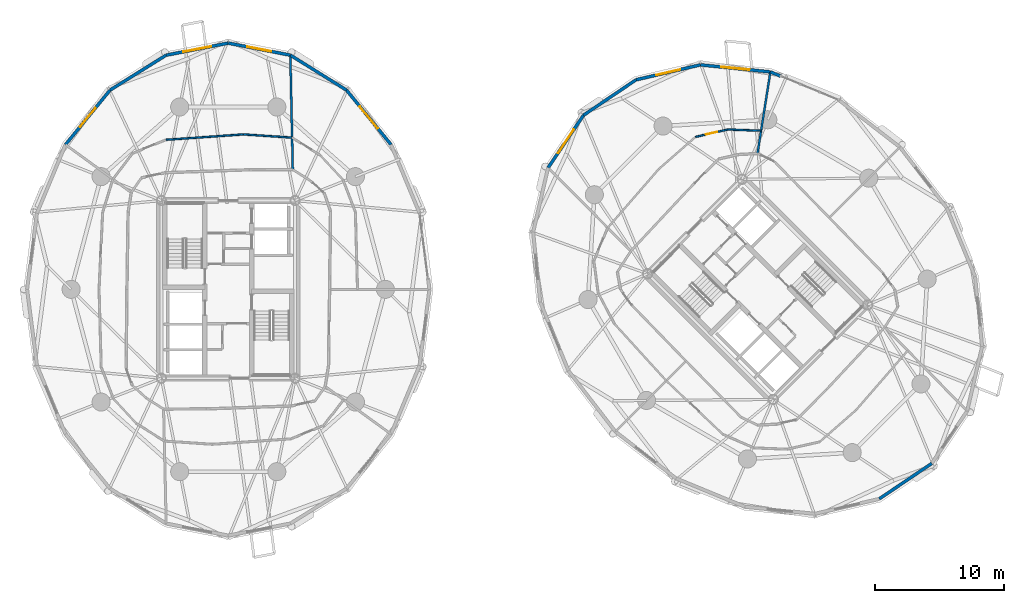
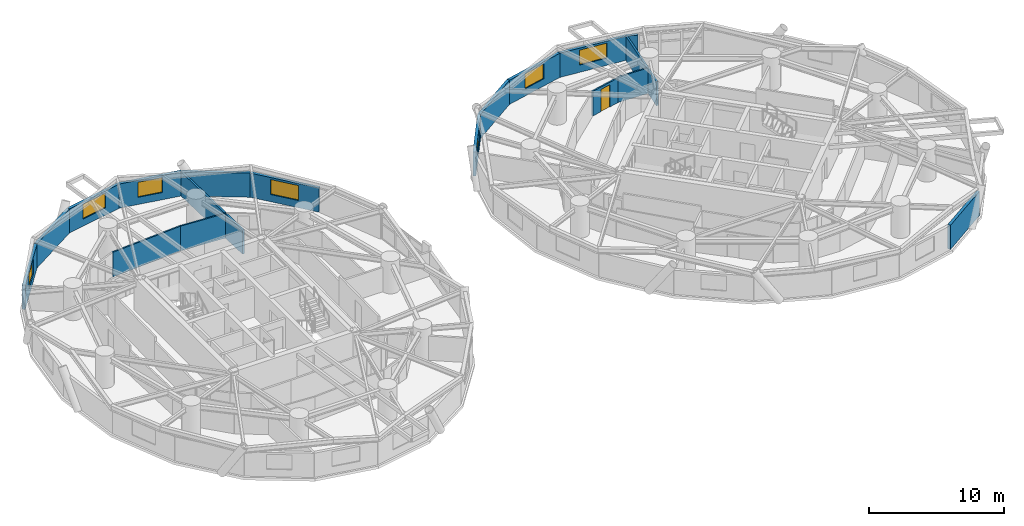
# One storey, part 14 of 17: 18 walls, 7 windows, 1 door, 8 openings.
"""IFC4 building model written with IfcOpenShell, lengths in metres."""

from ifc_helpers import new_model, si_unit, direction, frame, frame_2d, origin, place, context, subcontext, project, spatial, rectangle, extrude, source, transform, mapped, material, layer, layer_set, type_object, element, fill, save


model = new_model("IFC4")

# Units and contexts
model_context = context("Model", 3, precision=1e-05, world=origin(), true_north=direction((0.0, 1.0)))
body_context = subcontext(model_context, "Body", "Model", "MODEL_VIEW")
ifc_project = project(units=[si_unit("LENGTHUNIT", "METRE"), si_unit("AREAUNIT", "SQUARE_METRE"), si_unit("VOLUMEUNIT", "CUBIC_METRE"), si_unit("PLANEANGLEUNIT", "RADIAN"), si_unit("MASSUNIT", "GRAM", prefix="KILO")], contexts=[model_context])

# Site, building, storey
site_placement = place(None, origin())
site = spatial("IfcSite", under=ifc_project, at=site_placement, CompositionType="ELEMENT")
building_placement = place(site_placement, origin())
building = spatial("IfcBuilding", under=site, at=building_placement, Name="Cununo Teusaquillo Station Towers", CompositionType="ELEMENT")
storey_placement = place(building_placement, frame((0.0, 0.0, 90.52001953125)))
storey = spatial("IfcBuildingStorey", under=building, at=storey_placement, Name="L28", CompositionType="ELEMENT", Elevation=90.52001953125)

# Wall, opening, window
ifc_material_1 = material(Name="Precast concrete C40/50", Category="concrete")
ifc_layer_1 = layer(ifc_material_1, 0.239990234375)
ifc_layer_set_1 = layer_set([ifc_layer_1], Name="Precast concrete C40/50")
wall_type_1 = type_object("IfcWallType", Name="WL-EXT-240", PredefinedType="SOLIDWALL", material=ifc_layer_set_1)
wall_1_placement = place(storey_placement, frame((25.658203125, 39.927978515625, 0.0), z_axis=(0.0, 0.0, 1.0), x_axis=(0.632700781152, -0.77439635945, 0.0)))
wall_1 = element("IfcWall", 1, at=wall_1_placement, inside=storey, type_object=wall_type_1, Name="L28 Tower A Exterior Facade Wall C02", PredefinedType="SOLIDWALL", context=body_context, shape_type="SweptSolid", body=[
    extrude(rectangle(XDim=5.447998046875, YDim=0.239990234375, at=frame_2d((2.72412109375, 0.0))), origin(), (0.0, 0.0, 1.0), 2.178955078125),
])
shared_shape_1 = source(origin(), body_context, "Body", "SweptSolid", [
    extrude(rectangle(XDim=2.199951171875, YDim=1.35009765625, at=frame_2d((1.10009765625, 0.675048828125))), frame((0.0, 0.1298828125, 0.0), z_axis=(0.0, -1.0, 0.0), x_axis=(1.0, 0.0, 0.0)), (0.0, 0.0, 1.0), 0.260009765625),
])
opening_1_placement = place(wall_1_placement, frame((1.6240234375, 0.0, 0.64990234375)))
opening_1 = element("IfcOpeningElement", 2, at=opening_1_placement, cuts=wall_1, Name="Opening WN-01", PredefinedType="OPENING", context=body_context, shape_type="MappedRepresentation", body=[
    mapped(shared_shape_1, transform((0.0, 0.0, 0.0), x_axis=(1.0, 0.0, 0.0), y_axis=(0.0, 1.0, 0.0), z_axis=(0.0, 0.0, 1.0), scale=1.0)),
])
ifc_material_2 = material(Name="Ceramic-fritted dark low-E double glazing", Category="glass")
window_type_1 = type_object("IfcWindowType", Name="WIN-FRIT-2200", PartitioningType="DOUBLE_PANEL_VERTICAL", PredefinedType="WINDOW", material=ifc_material_2)
shared_shape_2 = source(origin(), body_context, "Body", "SweptSolid", [
    extrude(rectangle(XDim=2.199951171875, YDim=1.35009765625, at=frame_2d((1.10009765625, 0.675048828125))), frame((0.0, 0.030029296875, 0.0), z_axis=(0.0, -1.0, 0.0), x_axis=(1.0, 0.0, 0.0)), (0.0, 0.0, 1.0), 0.06005859375),
])
window_1_placement = place(opening_1_placement, origin())
window_1 = element("IfcWindow", 3, at=window_1_placement, inside=storey, type_object=window_type_1, Name="L28 Tower A Facade Window C02", OverallHeight=1.35009765625, OverallWidth=2.199951171875, PartitioningType="DOUBLE_PANEL_VERTICAL", PredefinedType="WINDOW", context=body_context, shape_type="MappedRepresentation", body=[
    mapped(shared_shape_2, transform((0.0, 0.0, 0.0), x_axis=(1.0, 0.0, 0.0), y_axis=(0.0, 1.0, 0.0), z_axis=(0.0, 0.0, 1.0), scale=1.0)),
])
fill(opening_1, window_1)

# Wall
wall_2_placement = place(storey_placement, frame((21.314697265625, 42.63671875, 0.0), z_axis=(0.0, 0.0, 1.0), x_axis=(0.848520380187, -0.529162701263, 0.0)))
element("IfcWall", 4, at=wall_2_placement, inside=storey, type_object=wall_type_1, Name="L28 Tower A Exterior Facade Wall C03", PredefinedType="SOLIDWALL", context=body_context, shape_type="SweptSolid", body=[
    extrude(rectangle(XDim=5.118896484375, YDim=0.239990234375, at=frame_2d((2.5595703125, 0.0))), origin(), (0.0, 0.0, 1.0), 2.178955078125),
])

# Wall, opening, window
wall_3_placement = place(storey_placement, frame((16.5, 43.570068359375, 0.0), z_axis=(0.0, 0.0, 1.0), x_axis=(0.981723785992, -0.190311344954, 0.0)))
wall_3 = element("IfcWall", 5, at=wall_3_placement, inside=storey, type_object=wall_type_1, Name="L28 Tower A Exterior Facade Wall C04", PredefinedType="SOLIDWALL", context=body_context, shape_type="SweptSolid", body=[
    extrude(rectangle(XDim=4.904296875, YDim=0.239990234375, at=frame_2d((2.4521484375, 0.0))), origin(), (0.0, 0.0, 1.0), 2.178955078125),
])
shared_shape_3 = source(origin(), body_context, "Body", "SweptSolid", [
    extrude(rectangle(XDim=1.89990234375, YDim=1.35009765625, at=frame_2d((0.949951171875, 0.675048828125))), frame((0.0, 0.1298828125, 0.0), z_axis=(0.0, -1.0, 0.0), x_axis=(1.0, 0.0, 0.0)), (0.0, 0.0, 1.0), 0.260009765625),
])
opening_2_placement = place(wall_3_placement, frame((1.501953125, 0.0, 0.64990234375)))
opening_2 = element("IfcOpeningElement", 6, at=opening_2_placement, cuts=wall_3, Name="Opening WN-02", PredefinedType="OPENING", context=body_context, shape_type="MappedRepresentation", body=[
    mapped(shared_shape_3, transform((0.0, 0.0, 0.0), x_axis=(1.0, 0.0, 0.0), y_axis=(0.0, 1.0, 0.0), z_axis=(0.0, 0.0, 1.0), scale=1.0)),
])
ifc_material_3 = material(Name="Operable acoustic tinted low-E double glazing", Category="glass")
window_type_2 = type_object("IfcWindowType", Name="WIN-OPER-1900", PartitioningType="DOUBLE_PANEL_VERTICAL", PredefinedType="WINDOW", material=ifc_material_3)
shared_shape_4 = source(origin(), body_context, "Body", "SweptSolid", [
    extrude(rectangle(XDim=1.89990234375, YDim=1.35009765625, at=frame_2d((0.949951171875, 0.675048828125))), frame((0.0, 0.030029296875, 0.0), z_axis=(0.0, -1.0, 0.0), x_axis=(1.0, 0.0, 0.0)), (0.0, 0.0, 1.0), 0.06005859375),
])
window_2_placement = place(opening_2_placement, origin())
window_2 = element("IfcWindow", 7, at=window_2_placement, inside=storey, type_object=window_type_2, Name="L28 Tower A Facade Window C04", OverallHeight=1.35009765625, OverallWidth=1.89990234375, PartitioningType="DOUBLE_PANEL_VERTICAL", PredefinedType="WINDOW", context=body_context, shape_type="MappedRepresentation", body=[
    mapped(shared_shape_4, transform((0.0, 0.0, 0.0), x_axis=(1.0, 0.0, 0.0), y_axis=(0.0, 1.0, 0.0), z_axis=(0.0, 0.0, 1.0), scale=1.0)),
])
fill(opening_2, window_2)

wall_4_placement = place(storey_placement, frame((11.685302734375, 42.63671875, 0.0), z_axis=(0.0, 0.0, 1.0), x_axis=(0.981723785992, 0.190311344954, 0.0)))
wall_4 = element("IfcWall", 8, at=wall_4_placement, inside=storey, type_object=wall_type_1, Name="L28 Tower A Exterior Facade Wall C05", PredefinedType="SOLIDWALL", context=body_context, shape_type="SweptSolid", body=[
    extrude(rectangle(XDim=4.904296875, YDim=0.239990234375, at=frame_2d((2.4521484375, 0.0))), origin(), (0.0, 0.0, 1.0), 2.178955078125),
])
opening_3_placement = place(wall_4_placement, frame((1.35205078125, 0.0, 0.64990234375)))
opening_3 = element("IfcOpeningElement", 9, at=opening_3_placement, cuts=wall_4, Name="Opening WN-01", PredefinedType="OPENING", context=body_context, shape_type="MappedRepresentation", body=[
    mapped(shared_shape_1, transform((0.0, 0.0, 0.0), x_axis=(1.0, 0.0, 0.0), y_axis=(0.0, 1.0, 0.0), z_axis=(0.0, 0.0, 1.0), scale=1.0)),
])
window_3_placement = place(opening_3_placement, origin())
window_3 = element("IfcWindow", 10, at=window_3_placement, inside=storey, type_object=window_type_1, Name="L28 Tower A Facade Window C05", OverallHeight=1.35009765625, OverallWidth=2.199951171875, PartitioningType="DOUBLE_PANEL_VERTICAL", PredefinedType="WINDOW", context=body_context, shape_type="MappedRepresentation", body=[
    mapped(shared_shape_2, transform((0.0, 0.0, 0.0), x_axis=(1.0, 0.0, 0.0), y_axis=(0.0, 1.0, 0.0), z_axis=(0.0, 0.0, 1.0), scale=1.0)),
])
fill(opening_3, window_3)

# Wall
wall_5_placement = place(storey_placement, frame((7.341796875, 39.927978515625, 0.0), z_axis=(0.0, 0.0, 1.0), x_axis=(0.848520380187, 0.529162701263, 0.0)))
element("IfcWall", 11, at=wall_5_placement, inside=storey, type_object=wall_type_1, Name="L28 Tower A Exterior Facade Wall C06", PredefinedType="SOLIDWALL", context=body_context, shape_type="SweptSolid", body=[
    extrude(rectangle(XDim=5.118896484375, YDim=0.239990234375, at=frame_2d((2.5595703125, 0.0))), origin(), (0.0, 0.0, 1.0), 2.178955078125),
])

# Wall, opening, window
wall_6_placement = place(storey_placement, frame((3.894775390625, 35.708984375, 0.0), z_axis=(0.0, 0.0, 1.0), x_axis=(0.632700781152, 0.77439635945, 0.0)))
wall_6 = element("IfcWall", 12, at=wall_6_placement, inside=storey, type_object=wall_type_1, Name="L28 Tower A Exterior Facade Wall C07", PredefinedType="SOLIDWALL", context=body_context, shape_type="SweptSolid", body=[
    extrude(rectangle(XDim=5.447998046875, YDim=0.239990234375, at=frame_2d((2.72412109375, 0.0))), origin(), (0.0, 0.0, 1.0), 2.178955078125),
])
opening_4_placement = place(wall_6_placement, frame((1.77392578125, 0.0, 0.64990234375)))
opening_4 = element("IfcOpeningElement", 13, at=opening_4_placement, cuts=wall_6, Name="Opening WN-02", PredefinedType="OPENING", context=body_context, shape_type="MappedRepresentation", body=[
    mapped(shared_shape_3, transform((0.0, 0.0, 0.0), x_axis=(1.0, 0.0, 0.0), y_axis=(0.0, 1.0, 0.0), z_axis=(0.0, 0.0, 1.0), scale=1.0)),
])
window_4_placement = place(opening_4_placement, origin())
window_4 = element("IfcWindow", 14, at=window_4_placement, inside=storey, type_object=window_type_2, Name="L28 Tower A Facade Window C07", OverallHeight=1.35009765625, OverallWidth=1.89990234375, PartitioningType="DOUBLE_PANEL_VERTICAL", PredefinedType="WINDOW", context=body_context, shape_type="MappedRepresentation", body=[
    mapped(shared_shape_4, transform((0.0, 0.0, 0.0), x_axis=(1.0, 0.0, 0.0), y_axis=(0.0, 1.0, 0.0), z_axis=(0.0, 0.0, 1.0), scale=1.0)),
])
fill(opening_4, window_4)

# Wall
wall_7_placement = place(storey_placement, frame((58.4873046875, 41.33935546875, 0.0), z_axis=(0.0, 0.0, 1.0), x_axis=(0.924556017656, -0.381046152345, 0.0)))
element("IfcWall", 15, at=wall_7_placement, inside=storey, type_object=wall_type_1, Name="L28 Tower B Column Pier Cladding Wall C01-PA", PredefinedType="SOLIDWALL", context=body_context, shape_type="SweptSolid", body=[
    extrude(rectangle(XDim=0.8701171875, YDim=0.239990234375, at=frame_2d((0.43505859375, 0.0))), origin(), (0.0, 0.0, 1.0), 2.178955078125),
])

# Wall, opening, window
wall_8_placement = place(storey_placement, frame((53.066650390625, 41.885009765625, 0.0), z_axis=(0.0, 0.0, 1.0), x_axis=(0.994971754311, -0.10015591906, 0.0)))
wall_8 = element("IfcWall", 16, at=wall_8_placement, inside=storey, type_object=wall_type_1, Name="L28 Tower B Exterior Facade Wall C02", PredefinedType="SOLIDWALL", context=body_context, shape_type="SweptSolid", body=[
    extrude(rectangle(XDim=5.447998046875, YDim=0.239990234375, at=frame_2d((2.72412109375, 0.0))), origin(), (0.0, 0.0, 1.0), 2.178955078125),
])
opening_5_placement = place(wall_8_placement, frame((1.6240234375, 0.0, 0.64990234375)))
opening_5 = element("IfcOpeningElement", 17, at=opening_5_placement, cuts=wall_8, Name="Opening WN-01", PredefinedType="OPENING", context=body_context, shape_type="MappedRepresentation", body=[
    mapped(shared_shape_1, transform((0.0, 0.0, 0.0), x_axis=(1.0, 0.0, 0.0), y_axis=(0.0, 1.0, 0.0), z_axis=(0.0, 0.0, 1.0), scale=1.0)),
])
window_5_placement = place(opening_5_placement, origin())
window_5 = element("IfcWindow", 18, at=window_5_placement, inside=storey, type_object=window_type_1, Name="L28 Tower B Facade Window C02", OverallHeight=1.35009765625, OverallWidth=2.199951171875, PartitioningType="DOUBLE_PANEL_VERTICAL", PredefinedType="WINDOW", context=body_context, shape_type="MappedRepresentation", body=[
    mapped(shared_shape_2, transform((0.0, 0.0, 0.0), x_axis=(1.0, 0.0, 0.0), y_axis=(0.0, 1.0, 0.0), z_axis=(0.0, 0.0, 1.0), scale=1.0)),
])
fill(opening_5, window_5)

wall_9_placement = place(storey_placement, frame((48.080078125, 40.72900390625, 0.0), z_axis=(0.0, 0.0, 1.0), x_axis=(0.974165631126, 0.225834725257, 0.0)))
wall_9 = element("IfcWall", 19, at=wall_9_placement, inside=storey, type_object=wall_type_1, Name="L28 Tower B Exterior Facade Wall C03", PredefinedType="SOLIDWALL", context=body_context, shape_type="SweptSolid", body=[
    extrude(rectangle(XDim=5.118896484375, YDim=0.239990234375, at=frame_2d((2.5595703125, 0.0))), origin(), (0.0, 0.0, 1.0), 2.178955078125),
])
opening_6_placement = place(wall_9_placement, frame((1.60888671875, 0.0, 0.64990234375)))
opening_6 = element("IfcOpeningElement", 20, at=opening_6_placement, cuts=wall_9, Name="Opening WN-02", PredefinedType="OPENING", context=body_context, shape_type="MappedRepresentation", body=[
    mapped(shared_shape_3, transform((0.0, 0.0, 0.0), x_axis=(1.0, 0.0, 0.0), y_axis=(0.0, 1.0, 0.0), z_axis=(0.0, 0.0, 1.0), scale=1.0)),
])
window_6_placement = place(opening_6_placement, origin())
window_6 = element("IfcWindow", 21, at=window_6_placement, inside=storey, type_object=window_type_2, Name="L28 Tower B Facade Window C03", OverallHeight=1.35009765625, OverallWidth=1.89990234375, PartitioningType="DOUBLE_PANEL_VERTICAL", PredefinedType="WINDOW", context=body_context, shape_type="MappedRepresentation", body=[
    mapped(shared_shape_4, transform((0.0, 0.0, 0.0), x_axis=(1.0, 0.0, 0.0), y_axis=(0.0, 1.0, 0.0), z_axis=(0.0, 0.0, 1.0), scale=1.0)),
])
fill(opening_6, window_6)

# Wall
wall_10_placement = place(storey_placement, frame((44.015380859375, 37.984619140625, 0.0), z_axis=(0.0, 0.0, 1.0), x_axis=(0.828781148131, 0.559572880421, 0.0)))
element("IfcWall", 22, at=wall_10_placement, inside=storey, type_object=wall_type_1, Name="L28 Tower B Exterior Facade Wall C04", PredefinedType="SOLIDWALL", context=body_context, shape_type="SweptSolid", body=[
    extrude(rectangle(XDim=4.904541015625, YDim=0.239990234375, at=frame_2d((2.4521484375, 0.0))), origin(), (0.0, 0.0, 1.0), 2.178955078125),
])

# Wall, opening, window
wall_11_placement = place(storey_placement, frame((41.27099609375, 33.919921875, 0.0), z_axis=(0.0, 0.0, 1.0), x_axis=(0.559572880421, 0.828781148131, 0.0)))
wall_11 = element("IfcWall", 23, at=wall_11_placement, inside=storey, type_object=wall_type_1, Name="L28 Tower B Exterior Facade Wall C05", PredefinedType="SOLIDWALL", context=body_context, shape_type="SweptSolid", body=[
    extrude(rectangle(XDim=4.904541015625, YDim=0.239990234375, at=frame_2d((2.4521484375, 0.0))), origin(), (0.0, 0.0, 1.0), 2.178955078125),
])
opening_7_placement = place(wall_11_placement, frame((1.35205078125, 0.0, 0.64990234375)))
opening_7 = element("IfcOpeningElement", 24, at=opening_7_placement, cuts=wall_11, Name="Opening WN-01", PredefinedType="OPENING", context=body_context, shape_type="MappedRepresentation", body=[
    mapped(shared_shape_1, transform((0.0, 0.0, 0.0), x_axis=(1.0, 0.0, 0.0), y_axis=(0.0, 1.0, 0.0), z_axis=(0.0, 0.0, 1.0), scale=1.0)),
])
window_7_placement = place(opening_7_placement, origin())
window_7 = element("IfcWindow", 25, at=window_7_placement, inside=storey, type_object=window_type_1, Name="L28 Tower B Facade Window C05", OverallHeight=1.35009765625, OverallWidth=2.199951171875, PartitioningType="DOUBLE_PANEL_VERTICAL", PredefinedType="WINDOW", context=body_context, shape_type="MappedRepresentation", body=[
    mapped(shared_shape_2, transform((0.0, 0.0, 0.0), x_axis=(1.0, 0.0, 0.0), y_axis=(0.0, 1.0, 0.0), z_axis=(0.0, 0.0, 1.0), scale=1.0)),
])
fill(opening_7, window_7)

# Walls
wall_12_placement = place(storey_placement, frame((70.984619140625, 11.015380859375, 0.0), z_axis=(0.0, 0.0, 1.0), x_axis=(-0.828781148131, -0.559572880421, 0.0)))
element("IfcWall", 26, at=wall_12_placement, inside=storey, type_object=wall_type_1, Name="L28 Tower B Exterior Facade Wall C14", PredefinedType="SOLIDWALL", context=body_context, shape_type="SweptSolid", body=[
    extrude(rectangle(XDim=4.904541015625, YDim=0.239990234375, at=frame_2d((2.4521484375, 0.0))), origin(), (0.0, 0.0, 1.0), 2.178955078125),
])
ifc_material_4 = material(Name="Fire-rated gypsum plasterboard partition assembly", Category="gypsum")
ifc_layer_2 = layer(ifc_material_4, 0.125)
ifc_layer_set_2 = layer_set([ifc_layer_2], Name="Fire-rated gypsum plasterboard partition assembly")
wall_type_2 = type_object("IfcWallType", Name="WL-PART-125", PredefinedType="PARTITIONING", material=ifc_layer_set_2)
wall_13_placement = place(storey_placement, frame((21.443603515625, 36.2509765625, 0.0), z_axis=(0.0, 0.0, 1.0), x_axis=(-0.997810544349, 0.066137112017, 0.0)))
element("IfcWall", 27, at=wall_13_placement, inside=storey, type_object=wall_type_2, Name="L28 Tower A Parametric Prototyping Lab Concentric Partition Wall C04", PredefinedType="PARTITIONING", context=body_context, shape_type="SweptSolid", body=[
    extrude(rectangle(XDim=3.7763671875, YDim=0.125, at=frame_2d((1.88818359375, 0.0))), origin(), (0.0, 0.0, 1.0), 2.22509765625),
])
wall_14_placement = place(storey_placement, frame((17.675537109375, 36.500732421875, 0.0), z_axis=(0.0, 0.0, 1.0), x_axis=(-0.997570913993, -0.069658248298, 0.0)))
element("IfcWall", 28, at=wall_14_placement, inside=storey, type_object=wall_type_2, Name="L28 Tower A Parametric Prototyping Lab Concentric Partition Wall C05", PredefinedType="PARTITIONING", context=body_context, shape_type="SweptSolid", body=[
    extrude(rectangle(XDim=6.0283203125, YDim=0.125, at=frame_2d((3.01416015625, 0.0))), origin(), (0.0, 0.0, 1.0), 2.22509765625),
])
wall_15_placement = place(storey_placement, frame((57.768798828125, 36.784912109375, 0.0), z_axis=(0.0, 0.0, 1.0), x_axis=(-0.999316779648, 0.036959084311, 0.0)))
element("IfcWall", 29, at=wall_15_placement, inside=storey, type_object=wall_type_2, Name="L28 Tower B Parametric Prototyping Lab Concentric Partition Wall C02", PredefinedType="PARTITIONING", context=body_context, shape_type="SweptSolid", body=[
    extrude(rectangle(XDim=2.576171875, YDim=0.125, at=frame_2d((1.2880859375, 0.0))), origin(), (0.0, 0.0, 1.0), 2.2919921875),
])

# Wall, opening, door
wall_16_placement = place(storey_placement, frame((55.1943359375, 36.880126953125, 0.0), z_axis=(0.0, 0.0, 1.0), x_axis=(-0.97469098149, -0.22355645954, 0.0)))
wall_16 = element("IfcWall", 30, at=wall_16_placement, inside=storey, type_object=wall_type_2, Name="L28 Tower B Parametric Prototyping Lab Concentric Partition Wall C03", PredefinedType="PARTITIONING", context=body_context, shape_type="SweptSolid", body=[
    extrude(rectangle(XDim=2.572998046875, YDim=0.125, at=frame_2d((1.28662109375, 0.0))), origin(), (0.0, 0.0, 1.0), 2.22509765625),
])
shared_shape_5 = source(origin(), body_context, "Body", "SweptSolid", [
    extrude(rectangle(XDim=0.89990234375, YDim=2.0048828125, at=frame_2d((0.449951171875, 1.00244140625))), frame((0.0, 0.072509765625, 0.0), z_axis=(0.0, -1.0, 0.0), x_axis=(1.0, 0.0, 0.0)), (0.0, 0.0, 1.0), 0.14501953125),
])
opening_8_placement = place(wall_16_placement, frame((0.83642578125, 0.0, 0.0)))
opening_8 = element("IfcOpeningElement", 31, at=opening_8_placement, cuts=wall_16, Name="Opening D-IN1", PredefinedType="OPENING", context=body_context, shape_type="MappedRepresentation", body=[
    mapped(shared_shape_5, transform((0.0, 0.0, 0.0), x_axis=(1.0, 0.0, 0.0), y_axis=(0.0, 1.0, 0.0), z_axis=(0.0, 0.0, 1.0), scale=1.0)),
])
ifc_material_5 = material(Name="Acoustic solid-core hardwood leaf assembly", Category="wood")
door_type = type_object("IfcDoorType", Name="DR-INT-900", OperationType="NOTDEFINED", PredefinedType="DOOR", material=ifc_material_5)
shared_shape_6 = source(origin(), body_context, "Body", "SweptSolid", [
    extrude(rectangle(XDim=0.89990234375, YDim=2.0048828125, at=frame_2d((0.449951171875, 1.00244140625))), frame((0.0, 0.02490234375, 0.0), z_axis=(0.0, -1.0, 0.0), x_axis=(1.0, 0.0, 0.0)), (0.0, 0.0, 1.0), 0.050048828125),
])
door_placement = place(opening_8_placement, origin())
door = element("IfcDoor", 32, at=door_placement, inside=storey, type_object=door_type, Name="L28 Tower B Parametric Prototyping Lab Connecting Door", OperationType="SINGLE_SWING_RIGHT", OverallHeight=2.0048828125, OverallWidth=0.89990234375, PredefinedType="DOOR", context=body_context, shape_type="MappedRepresentation", body=[
    mapped(shared_shape_6, transform((0.0, 0.0, 0.0), x_axis=(1.0, 0.0, 0.0), y_axis=(0.0, 1.0, 0.0), z_axis=(0.0, 0.0, 1.0), scale=1.0)),
])
fill(opening_8, door)

# Walls
ifc_material_6 = material(Name="Fire-rated gypsum plasterboard partition assembly", Category="gypsum")
ifc_layer_3 = layer(ifc_material_6, 0.159912109375)
ifc_layer_set_3 = layer_set([ifc_layer_3], Name="Fire-rated gypsum plasterboard partition assembly")
wall_type_3 = type_object("IfcWallType", Name="WL-PART-160", PredefinedType="PARTITIONING", material=ifc_layer_set_3)
wall_17_placement = place(storey_placement, frame((21.496337890625, 33.77490234375, 0.0), z_axis=(0.0, 0.0, 1.0), x_axis=(-0.021226580265, 0.999774690763, 0.0)))
element("IfcWall", 33, at=wall_17_placement, inside=storey, type_object=wall_type_3, Name="L28 Tower A Radial Suite Partition R02", PredefinedType="PARTITIONING", context=body_context, shape_type="SweptSolid", body=[
    extrude(rectangle(XDim=8.8447265625, YDim=0.159912109375, at=frame_2d((4.42236328125, 0.0))), origin(), (0.0, 0.0, 1.0), 2.178955078125),
])
wall_18_placement = place(storey_placement, frame((57.49072265625, 35.021484375, 0.0), z_axis=(0.0, 0.0, 1.0), x_axis=(0.155805268746, 0.98778779008, 0.0)))
element("IfcWall", 34, at=wall_18_placement, inside=storey, type_object=wall_type_3, Name="L28 Tower B Radial Suite Partition R02", PredefinedType="PARTITIONING", context=body_context, shape_type="SweptSolid", body=[
    extrude(rectangle(XDim=6.3759765625, YDim=0.159912109375, at=frame_2d((3.18798828125, 0.0))), origin(), (0.0, 0.0, 1.0), 2.178955078125),
])

save(model, "model.ifc")
